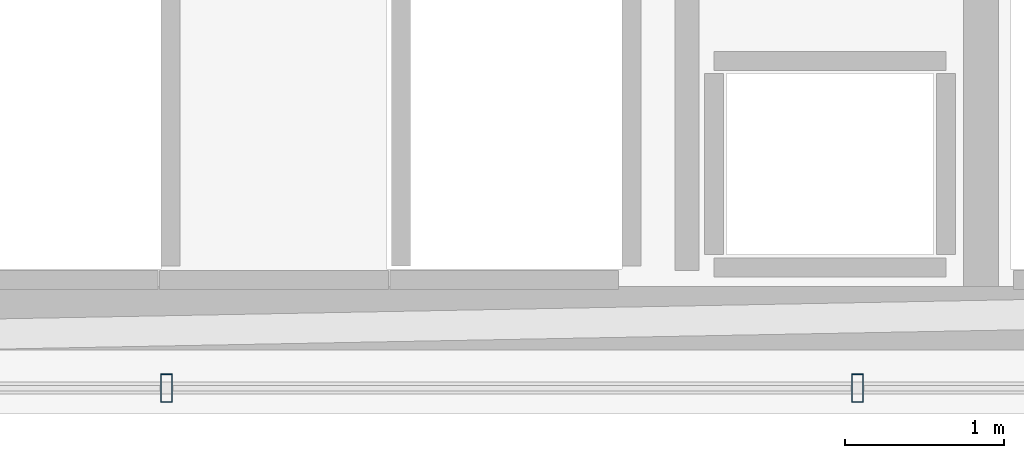
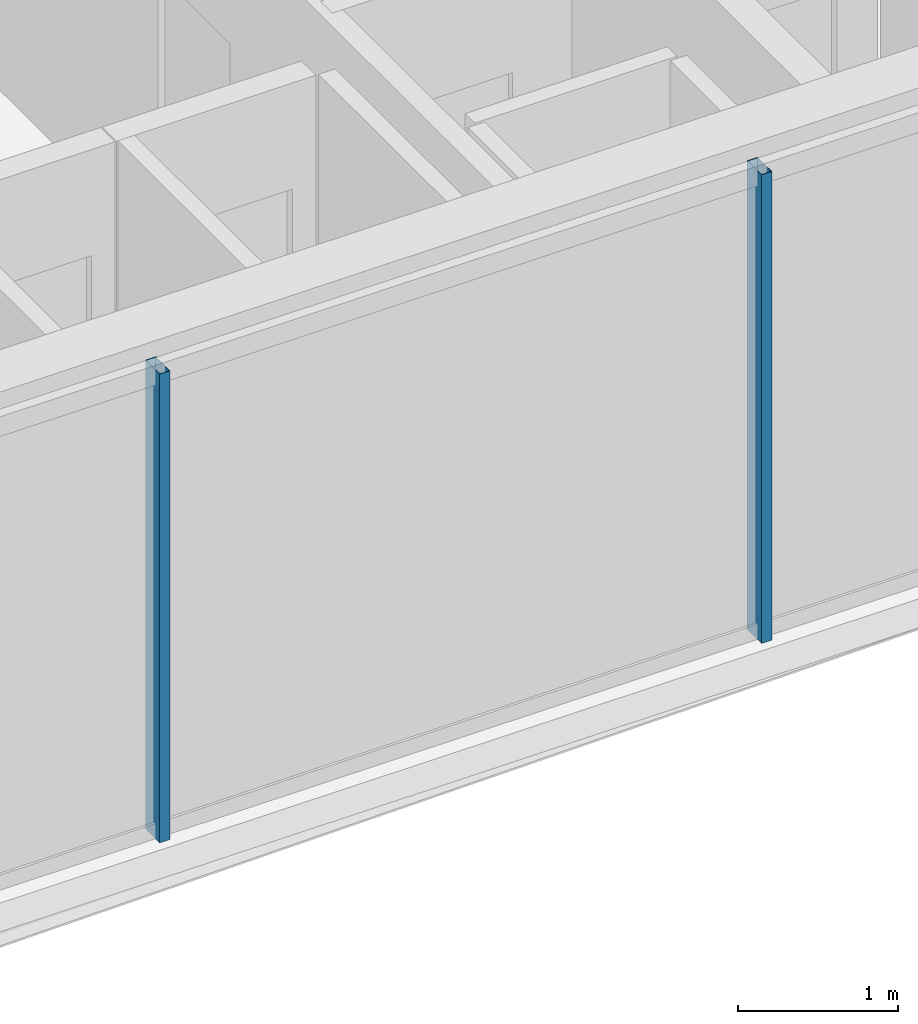
# One storey, part 8 of 29: 2 members, 1 element without a shape of its own.
"""IFC4 building model written with IfcOpenShell, lengths in metres."""

from ifc_helpers import new_model, si_unit, direction, frame, origin, origin_2d, place, context, subcontext, project, spatial, hollow_rectangle, extrude, material, layer, layer_set, material_profile, profile_set, type_object, element, aggregate, save


model = new_model("IFC4")

# Units and contexts
model_context = context("Model", 3, precision=1e-05, world=origin(), true_north=direction((0.0, 1.0)))
body_context = subcontext(model_context, "Body", "Model", "MODEL_VIEW")
ifc_project = project(units=[si_unit("LENGTHUNIT", "METRE"), si_unit("AREAUNIT", "SQUARE_METRE"), si_unit("VOLUMEUNIT", "CUBIC_METRE"), si_unit("PLANEANGLEUNIT", "RADIAN"), si_unit("MASSUNIT", "GRAM", prefix="KILO")], contexts=[model_context])

# Site, building, storey
site_placement = place(None, origin())
site = spatial("IfcSite", under=ifc_project, at=site_placement, CompositionType="ELEMENT")
building_placement = place(site_placement, origin())
building = spatial("IfcBuilding", under=site, at=building_placement, Name="Ndaravel Arena Tower", CompositionType="ELEMENT")
storey_placement = place(building_placement, frame((0.0, 0.0, 229.39990234375)))
storey = spatial("IfcBuildingStorey", under=building, at=storey_placement, Name="L55", CompositionType="ELEMENT", Elevation=229.39990234375)

# Curtain wall, members
ifc_material_1 = material(Name="Aluminium", Category="aluminium")
ifc_layer = layer(ifc_material_1, 0.179931640625)
ifc_layer_set = layer_set([ifc_layer], Name="Aluminium")
curtain_wall_type = type_object("IfcCurtainWallType", Name="CW-SYS-03", PredefinedType="NOTDEFINED", material=ifc_layer_set)
curtain_wall_placement = place(storey_placement, origin())
curtain_wall = element("IfcCurtainWall", 1, at=curtain_wall_placement, inside=storey, type_object=curtain_wall_type, Name="L55 Faceted Crystal Curtain Wall CW-L55-E01", PredefinedType="NOTDEFINED")
ifc_material_2 = material(Name="Aluminium", Category="aluminium")
ifc_material_profile = material_profile(ifc_material_2, hollow_rectangle(XDim=0.074951171875, YDim=0.179931640625, WallThickness=0.00390625, at=origin_2d()), Name="CW MULLION 75x180x4")
ifc_profile_set = profile_set([ifc_material_profile], Name="Aluminium")
member_type = type_object("IfcMemberType", Name="MEM-CW-MUL180", PredefinedType="MULLION", material=ifc_profile_set)
member_1_placement = place(storey_placement, frame((44.17431640625, 5.159912109375, 0.0), z_axis=(0.0, 0.0, 1.0), x_axis=(1.0, 0.0, 0.0)))
member_1 = element("IfcMember", 2, at=member_1_placement, type_object=member_type, Name="CW-L55-E01 Mullion 05", PredefinedType="MULLION", context=body_context, shape_type="SweptSolid", body=[
    extrude(hollow_rectangle(XDim=0.074951171875, YDim=0.179931640625, WallThickness=0.00390625, at=origin_2d()), origin(), (0.0, 0.0, 1.0), 3.580078125),
])
member_2_placement = place(storey_placement, frame((48.52294921875, 5.159912109375, 0.0), z_axis=(0.0, 0.0, 1.0), x_axis=(1.0, 0.0, 0.0)))
member_2 = element("IfcMember", 3, at=member_2_placement, type_object=member_type, Name="CW-L55-E01 Mullion 06", PredefinedType="MULLION", context=body_context, shape_type="SweptSolid", body=[
    extrude(hollow_rectangle(XDim=0.074951171875, YDim=0.179931640625, WallThickness=0.00390625, at=origin_2d()), origin(), (0.0, 0.0, 1.0), 3.580078125),
])
aggregate(curtain_wall, [member_1, member_2])

save(model, "model.ifc")
